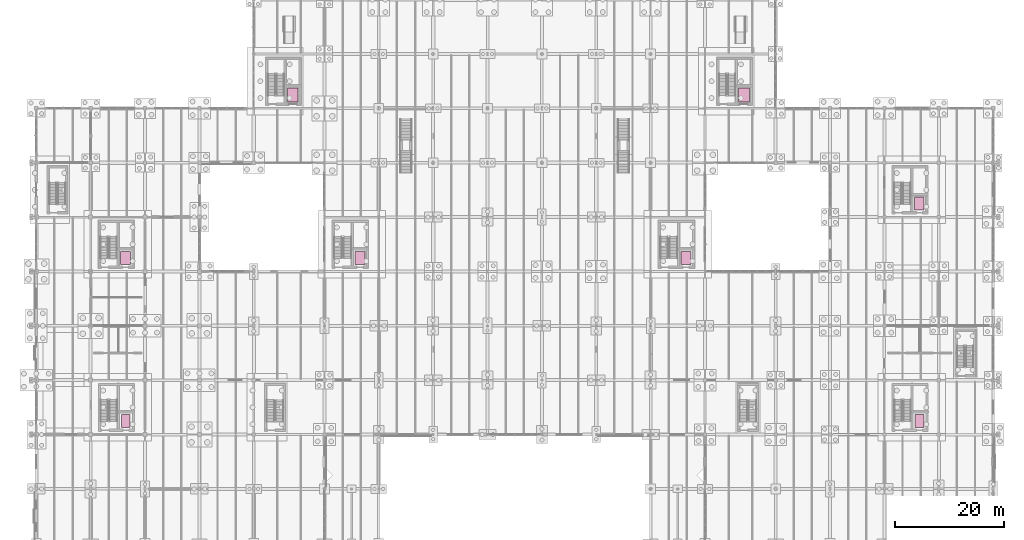
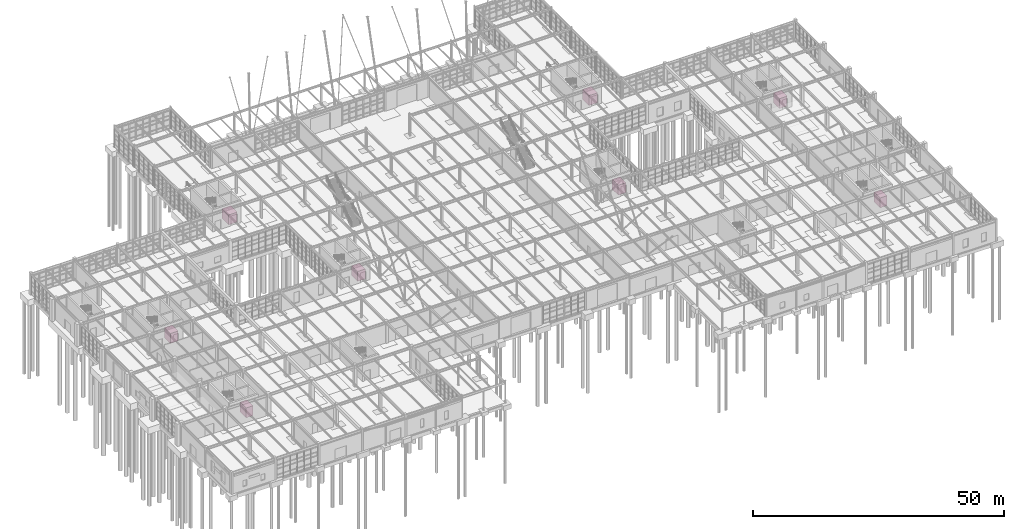
# One storey, part 145 of 145: 8 transport elements.
"""IFC4 building model written with IfcOpenShell, lengths in metres."""

from ifc_helpers import new_model, si_unit, direction, frame, origin, origin_2d, place, context, subcontext, project, spatial, rectangle, extrude, material, type_object, element, save


model = new_model("IFC4")

# Units and contexts
model_context = context("Model", 3, precision=1e-05, world=origin(), true_north=direction((0.0, 1.0)))
body_context = subcontext(model_context, "Body", "Model", "MODEL_VIEW")
ifc_project = project(units=[si_unit("LENGTHUNIT", "METRE"), si_unit("AREAUNIT", "SQUARE_METRE"), si_unit("VOLUMEUNIT", "CUBIC_METRE"), si_unit("PLANEANGLEUNIT", "RADIAN"), si_unit("MASSUNIT", "GRAM", prefix="KILO"), si_unit("THERMODYNAMICTEMPERATUREUNIT", "KELVIN"), si_unit("POWERUNIT", "WATT")], contexts=[model_context])

# Site, building, storey
site_placement = place(None, origin())
site = spatial("IfcSite", under=ifc_project, at=site_placement, CompositionType="ELEMENT")
building_placement = place(site_placement, origin())
building = spatial("IfcBuilding", under=site, at=building_placement, Name="Korenveer Ferry Terminal", CompositionType="ELEMENT")
storey_placement = place(building_placement, origin())
storey = spatial("IfcBuildingStorey", under=building, at=storey_placement, Name="L00", CompositionType="ELEMENT", Elevation=0.0)

# Transport elements
ifc_material_1 = material(Name="Brushed stainless steel lift car", Category="steel")
transport_element_type_1 = type_object("IfcTransportElementType", Name="INT-LF-FF", PredefinedType="ELEVATOR", material=ifc_material_1)
for number, where, z_axis, x_axis, name in (
    (1, (16.4599609375, 22.5, 0.0), (0.0, 0.0, 1.0), (1.0, 0.0, 0.0), "Firefighting lift FL1"),
    (2, (162.4599609375, 22.5, 0.0), (0.0, 0.0, 1.0), (1.0, 0.0, 0.0), "Firefighting lift FL2"),
):
    element("IfcTransportElement", number, at=place(storey_placement, frame(where, z_axis=z_axis, x_axis=x_axis)), inside=storey, type_object=transport_element_type_1, Name=name, PredefinedType="ELEVATOR", context=body_context, shape_type="SweptSolid", body=[
        extrude(rectangle(XDim=1.60009765625, YDim=2.39990234375, at=origin_2d()), origin(), (0.0, 0.0, 1.0), 2.39990234375),
    ])
ifc_material_2 = material(Name="Heavy-duty goods lift car", Category="aluminium")
transport_element_type_2 = type_object("IfcTransportElementType", Name="INT-LF-GDS", PredefinedType="ELEVATOR", material=ifc_material_2)
for number, where, z_axis, x_axis, name in (
    (3, (47.159912109375, 82.4599609375, 0.0), (0.0, 0.0, 1.0), (1.0, 0.0, 0.0), "Passenger lift LG1"),
    (4, (130.159912109375, 82.4599609375, 0.0), (0.0, 0.0, 1.0), (1.0, 0.0, 0.0), "Passenger lift LG2"),
):
    element("IfcTransportElement", number, at=place(storey_placement, frame(where, z_axis=z_axis, x_axis=x_axis)), inside=storey, type_object=transport_element_type_2, Name=name, PredefinedType="ELEVATOR", context=body_context, shape_type="SweptSolid", body=[
        extrude(rectangle(XDim=2.0, YDim=2.60009765625, at=origin_2d()), origin(), (0.0, 0.0, 1.0), 2.39990234375),
    ])
transport_element_type_3 = type_object("IfcTransportElementType", Name="INT-LF-PAX", PredefinedType="ELEVATOR", material=ifc_material_1)
for number, where, z_axis, x_axis, name in (
    (5, (16.419921875, 52.4599609375, 0.0), (0.0, 0.0, 1.0), (1.0, 0.0, 0.0), "Passenger lift LP1"),
    (6, (162.419921875, 62.4599609375, 0.0), (0.0, 0.0, 1.0), (1.0, 0.0, 0.0), "Passenger lift LP2"),
    (7, (59.52001953125, 52.4599609375, 0.0), (0.0, 0.0, 1.0), (1.0, 0.0, 0.0), "Passenger lift LP3"),
    (8, (119.52001953125, 52.4599609375, 0.0), (0.0, 0.0, 1.0), (1.0, 0.0, 0.0), "Passenger lift LP4"),
):
    element("IfcTransportElement", number, at=place(storey_placement, frame(where, z_axis=z_axis, x_axis=x_axis)), inside=storey, type_object=transport_element_type_3, Name=name, PredefinedType="ELEVATOR", context=body_context, shape_type="SweptSolid", body=[
        extrude(rectangle(XDim=1.800048828125, YDim=2.39990234375, at=origin_2d()), origin(), (0.0, 0.0, 1.0), 2.39990234375),
    ])

save(model, "model.ifc")
